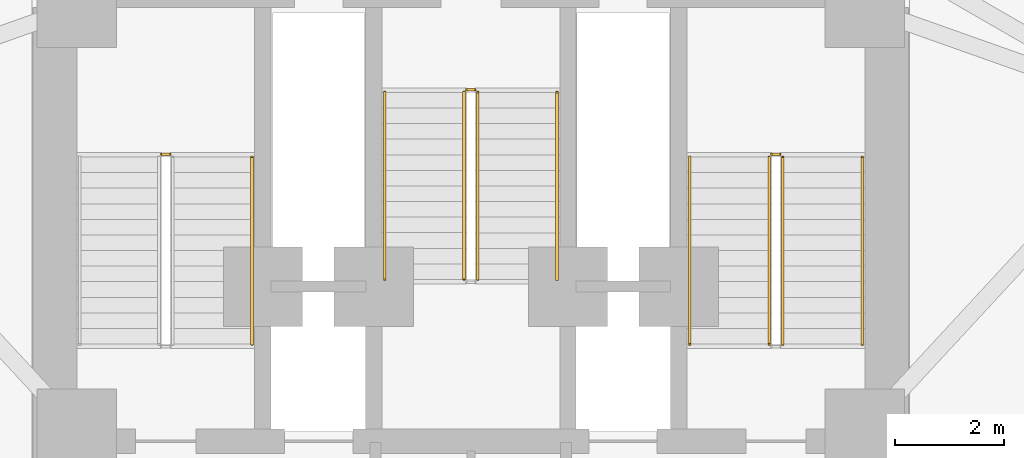
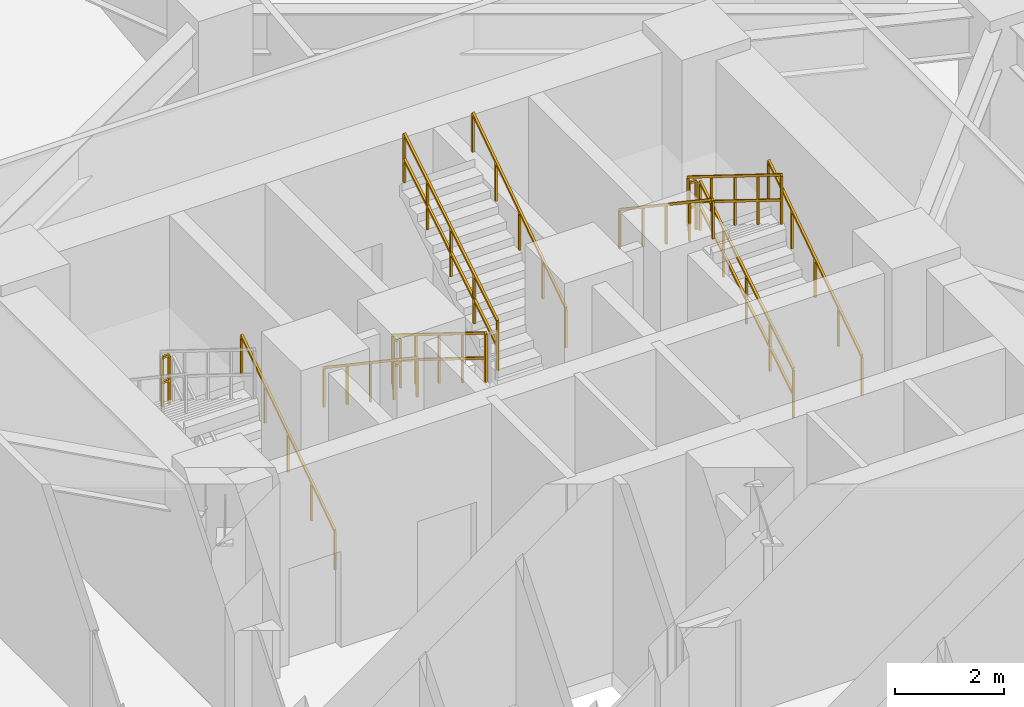
# One storey, part 20 of 21: 12 railings.
"""IFC4 building model written with IfcOpenShell, lengths in metres."""

from ifc_helpers import new_model, si_unit, direction, frame, origin, origin_2d, place, context, subcontext, project, spatial, rectangle, extrude, material, type_object, element, save


model = new_model("IFC4")

# Units and contexts
model_context = context("Model", 3, precision=1e-05, world=origin(), true_north=direction((0.0, 1.0)))
body_context = subcontext(model_context, "Body", "Model", "MODEL_VIEW")
ifc_project = project(units=[si_unit("LENGTHUNIT", "METRE"), si_unit("AREAUNIT", "SQUARE_METRE"), si_unit("VOLUMEUNIT", "CUBIC_METRE"), si_unit("PLANEANGLEUNIT", "RADIAN"), si_unit("MASSUNIT", "GRAM", prefix="KILO")], contexts=[model_context])

# Site, building, storey
site_placement = place(None, origin())
site = spatial("IfcSite", under=ifc_project, at=site_placement, CompositionType="ELEMENT")
building_placement = place(site_placement, origin())
building = spatial("IfcBuilding", under=site, at=building_placement, Name="Apsidion Concourse Tower", CompositionType="ELEMENT")
storey_placement = place(building_placement, frame((0.0, 0.0, 62.39990234375)))
storey = spatial("IfcBuildingStorey", under=building, at=storey_placement, Name="L13", CompositionType="ELEMENT", Elevation=62.39990234375)

# Railings
ifc_material = material(Name="Brushed stainless steel 316", Category="steel")
railing_type_1 = type_object("IfcRailingType", Name="RL-GUARD-1100", PredefinedType="GUARDRAIL", material=ifc_material)
railing_1_placement = place(storey_placement, frame((-5.5, 6.469970703125, 2.300048828125)))
element("IfcRailing", 1, at=railing_1_placement, inside=storey, type_object=railing_type_1, Name="L13 ST1 stair guard 2", PredefinedType="GUARDRAIL", context=body_context, shape_type="SweptSolid", body=[
    extrude(rectangle(XDim=0.048095703125, YDim=0.048095703125, at=origin_2d()), frame((0.0, 0.0, 1.09619140625), z_axis=(-1.0, 0.0, 0.0), x_axis=(0.0, -1.0, 0.0)), (0.0, 0.0, 1.0), 0.14990234375),
    extrude(rectangle(XDim=0.048095703125, YDim=0.048095703125, at=origin_2d()), frame((0.0, 0.0, 0.5361328125), z_axis=(-1.0, 0.0, 0.0), x_axis=(0.0, -1.0, 0.0)), (0.0, 0.0, 1.0), 0.14990234375),
    extrude(rectangle(XDim=0.0419921875, YDim=0.0419921875, at=origin_2d()), origin(), (0.0, 0.0, 1.0), 1.072021484375),
    extrude(rectangle(XDim=0.0419921875, YDim=0.0419921875, at=origin_2d()), frame((-0.14990234375, 0.0, 0.0)), (0.0, 0.0, 1.0), 1.072021484375),
])
railing_2_placement = place(storey_placement, frame((5.699951171875, 3.0, 0.177001953125)))
element("IfcRailing", 2, at=railing_2_placement, inside=storey, type_object=railing_type_1, Name="L13 ST2 stair guard 1", PredefinedType="GUARDRAIL", context=body_context, shape_type="SweptSolid", body=[
    extrude(rectangle(XDim=0.048095703125, YDim=0.048095703125, at=origin_2d()), frame((0.0, 0.0, 1.09619140625), z_axis=(0.0, 0.849602680019, 0.527423251388), x_axis=(-1.0, 0.0, 0.0)), (0.0, 0.0, 1.0), 4.025390625),
    extrude(rectangle(XDim=0.048095703125, YDim=0.048095703125, at=origin_2d()), frame((0.0, 0.0, 0.5361328125), z_axis=(0.0, 0.849602680019, 0.527423251388), x_axis=(-1.0, 0.0, 0.0)), (0.0, 0.0, 1.0), 4.025390625),
    extrude(rectangle(XDim=0.0419921875, YDim=0.0419921875, at=origin_2d()), origin(), (0.0, 0.0, 1.0), 1.072021484375),
    extrude(rectangle(XDim=0.0419921875, YDim=0.0419921875, at=origin_2d()), frame((0.0, 0.85498046875, 0.53076171875)), (0.0, 0.0, 1.0), 1.072021484375),
    extrude(rectangle(XDim=0.0419921875, YDim=0.0419921875, at=origin_2d()), frame((0.0, 1.7099609375, 1.0615234375)), (0.0, 0.0, 1.0), 1.072021484375),
    extrude(rectangle(XDim=0.0419921875, YDim=0.0419921875, at=origin_2d()), frame((0.0, 2.56494140625, 1.59228515625)), (0.0, 0.0, 1.0), 1.072021484375),
    extrude(rectangle(XDim=0.0419921875, YDim=0.0419921875, at=origin_2d()), frame((0.0, 3.419921875, 2.123046875)), (0.0, 0.0, 1.0), 1.072021484375),
])
railing_3_placement = place(storey_placement, frame((5.64990234375, 6.469970703125, 2.300048828125)))
element("IfcRailing", 3, at=railing_3_placement, inside=storey, type_object=railing_type_1, Name="L13 ST2 stair guard 2", PredefinedType="GUARDRAIL", context=body_context, shape_type="SweptSolid", body=[
    extrude(rectangle(XDim=0.048095703125, YDim=0.048095703125, at=origin_2d()), frame((0.0, 0.0, 1.09619140625), z_axis=(-1.0, 0.0, 0.0), x_axis=(0.0, -1.0, 0.0)), (0.0, 0.0, 1.0), 0.14990234375),
    extrude(rectangle(XDim=0.048095703125, YDim=0.048095703125, at=origin_2d()), frame((0.0, 0.0, 0.5361328125), z_axis=(-1.0, 0.0, 0.0), x_axis=(0.0, -1.0, 0.0)), (0.0, 0.0, 1.0), 0.14990234375),
    extrude(rectangle(XDim=0.0419921875, YDim=0.0419921875, at=origin_2d()), origin(), (0.0, 0.0, 1.0), 1.072021484375),
    extrude(rectangle(XDim=0.0419921875, YDim=0.0419921875, at=origin_2d()), frame((-0.14990234375, 0.0, 0.0)), (0.0, 0.0, 1.0), 1.072021484375),
])
railing_4_placement = place(storey_placement, frame((5.449951171875, 6.419921875, 2.47705078125)))
element("IfcRailing", 4, at=railing_4_placement, inside=storey, type_object=railing_type_1, Name="L13 ST2 stair guard 3", PredefinedType="GUARDRAIL", context=body_context, shape_type="SweptSolid", body=[
    extrude(rectangle(XDim=0.048095703125, YDim=0.048095703125, at=origin_2d()), frame((0.0, 0.0, 1.09619140625), z_axis=(0.0, -0.849602680019, 0.527423251388), x_axis=(1.0, 0.0, 0.0)), (0.0, 0.0, 1.0), 4.025390625),
    extrude(rectangle(XDim=0.048095703125, YDim=0.048095703125, at=origin_2d()), frame((0.0, 0.0, 0.5361328125), z_axis=(0.0, -0.849602680019, 0.527423251388), x_axis=(1.0, 0.0, 0.0)), (0.0, 0.0, 1.0), 4.025390625),
    extrude(rectangle(XDim=0.0419921875, YDim=0.0419921875, at=origin_2d()), origin(), (0.0, 0.0, 1.0), 1.072021484375),
    extrude(rectangle(XDim=0.0419921875, YDim=0.0419921875, at=origin_2d()), frame((0.0, -0.85498046875, 0.53076171875)), (0.0, 0.0, 1.0), 1.072021484375),
    extrude(rectangle(XDim=0.0419921875, YDim=0.0419921875, at=origin_2d()), frame((0.0, -1.7099609375, 1.0615234375)), (0.0, 0.0, 1.0), 1.072021484375),
    extrude(rectangle(XDim=0.0419921875, YDim=0.0419921875, at=origin_2d()), frame((0.0, -2.56494140625, 1.59228515625)), (0.0, 0.0, 1.0), 1.072021484375),
    extrude(rectangle(XDim=0.0419921875, YDim=0.0419921875, at=origin_2d()), frame((0.0, -3.419921875, 2.123046875)), (0.0, 0.0, 1.0), 1.072021484375),
])
railing_5_placement = place(storey_placement, frame((-0.125, 7.60009765625, 0.177001953125)))
element("IfcRailing", 5, at=railing_5_placement, inside=storey, type_object=railing_type_1, Name="L13 ST3 stair guard 1", PredefinedType="GUARDRAIL", context=body_context, shape_type="SweptSolid", body=[
    extrude(rectangle(XDim=0.048095703125, YDim=0.048095703125, at=origin_2d()), frame((0.0, 0.0, 1.09619140625), z_axis=(0.0, -0.849619550393, 0.527396074682), x_axis=(1.0, 0.0, 0.0)), (0.0, 0.0, 1.0), 4.025634765625),
    extrude(rectangle(XDim=0.048095703125, YDim=0.048095703125, at=origin_2d()), frame((0.0, 0.0, 0.5361328125), z_axis=(0.0, -0.849619550393, 0.527396074682), x_axis=(1.0, 0.0, 0.0)), (0.0, 0.0, 1.0), 4.025634765625),
    extrude(rectangle(XDim=0.0419921875, YDim=0.0419921875, at=origin_2d()), origin(), (0.0, 0.0, 1.0), 1.072021484375),
    extrude(rectangle(XDim=0.0419921875, YDim=0.0419921875, at=origin_2d()), frame((0.0, -0.85498046875, 0.53076171875)), (0.0, 0.0, 1.0), 1.072021484375),
    extrude(rectangle(XDim=0.0419921875, YDim=0.0419921875, at=origin_2d()), frame((0.0, -1.7099609375, 1.0615234375)), (0.0, 0.0, 1.0), 1.072021484375),
    extrude(rectangle(XDim=0.0419921875, YDim=0.0419921875, at=origin_2d()), frame((0.0, -2.565185546875, 1.59228515625)), (0.0, 0.0, 1.0), 1.072021484375),
    extrude(rectangle(XDim=0.0419921875, YDim=0.0419921875, at=origin_2d()), frame((0.0, -3.420166015625, 2.123046875)), (0.0, 0.0, 1.0), 1.072021484375),
])
railing_6_placement = place(storey_placement, frame((0.125, 4.179931640625, 2.47705078125)))
element("IfcRailing", 6, at=railing_6_placement, inside=storey, type_object=railing_type_1, Name="L13 ST3 stair guard 3", PredefinedType="GUARDRAIL", context=body_context, shape_type="SweptSolid", body=[
    extrude(rectangle(XDim=0.048095703125, YDim=0.048095703125, at=origin_2d()), frame((0.0, 0.0, 1.09619140625), z_axis=(0.0, 0.849619550393, 0.527396074682), x_axis=(-1.0, 0.0, 0.0)), (0.0, 0.0, 1.0), 4.025634765625),
    extrude(rectangle(XDim=0.048095703125, YDim=0.048095703125, at=origin_2d()), frame((0.0, 0.0, 0.5361328125), z_axis=(0.0, 0.849619550393, 0.527396074682), x_axis=(-1.0, 0.0, 0.0)), (0.0, 0.0, 1.0), 4.025634765625),
    extrude(rectangle(XDim=0.0419921875, YDim=0.0419921875, at=origin_2d()), origin(), (0.0, 0.0, 1.0), 1.072021484375),
    extrude(rectangle(XDim=0.0419921875, YDim=0.0419921875, at=origin_2d()), frame((0.0, 0.85498046875, 0.53076171875)), (0.0, 0.0, 1.0), 1.072021484375),
    extrude(rectangle(XDim=0.0419921875, YDim=0.0419921875, at=origin_2d()), frame((0.0, 1.7099609375, 1.0615234375)), (0.0, 0.0, 1.0), 1.072021484375),
    extrude(rectangle(XDim=0.0419921875, YDim=0.0419921875, at=origin_2d()), frame((0.0, 2.565185546875, 1.59228515625)), (0.0, 0.0, 1.0), 1.072021484375),
    extrude(rectangle(XDim=0.0419921875, YDim=0.0419921875, at=origin_2d()), frame((0.0, 3.420166015625, 2.123046875)), (0.0, 0.0, 1.0), 1.072021484375),
])
railing_7_placement = place(storey_placement, frame((-0.074951171875, 7.64990234375, 0.0)))
element("IfcRailing", 7, at=railing_7_placement, inside=storey, type_object=railing_type_1, Name="L13 ST3 stair guard 4", PredefinedType="GUARDRAIL", context=body_context, shape_type="SweptSolid", body=[
    extrude(rectangle(XDim=0.048095703125, YDim=0.048095703125, at=origin_2d()), frame((0.0, 0.0, 1.09619140625), z_axis=(1.0, 0.0, 0.0), x_axis=(0.0, 1.0, 0.0)), (0.0, 0.0, 1.0), 0.14990234375),
    extrude(rectangle(XDim=0.048095703125, YDim=0.048095703125, at=origin_2d()), frame((0.0, 0.0, 0.5361328125), z_axis=(1.0, 0.0, 0.0), x_axis=(0.0, 1.0, 0.0)), (0.0, 0.0, 1.0), 0.14990234375),
    extrude(rectangle(XDim=0.0419921875, YDim=0.0419921875, at=origin_2d()), origin(), (0.0, 0.0, 1.0), 1.072021484375),
    extrude(rectangle(XDim=0.0419921875, YDim=0.0419921875, at=origin_2d()), frame((0.14990234375, 0.0, 0.0)), (0.0, 0.0, 1.0), 1.072021484375),
])
railing_type_2 = type_object("IfcRailingType", Name="RL-HAND-900", PredefinedType="HANDRAIL", material=ifc_material)
for number, where, name in (
    (8, (-4.0, 3.0, 0.177001953125), "L13 ST1 stair handrail 1"),
    (9, (7.14990234375, 3.0, 0.177001953125), "L13 ST2 stair handrail 1"),
):
    element("IfcRailing", number, at=place(storey_placement, frame(where)), inside=storey, type_object=railing_type_2, Name=name, PredefinedType="HANDRAIL", context=body_context, shape_type="SweptSolid", body=[
        extrude(rectangle(XDim=0.048095703125, YDim=0.048095703125, at=origin_2d()), frame((0.0, 0.0, 0.8759765625), z_axis=(0.0, 0.8297924358, 0.55807214004), x_axis=(-1.0, 0.0, 0.0)), (0.0, 0.0, 1.0), 4.121337890625),
        extrude(rectangle(XDim=0.0419921875, YDim=0.0419921875, at=origin_2d()), origin(), (0.0, 0.0, 1.0), 0.851806640625),
        extrude(rectangle(XDim=0.0419921875, YDim=0.0419921875, at=origin_2d()), frame((0.0, 0.85498046875, 0.574951171875)), (0.0, 0.0, 1.0), 0.851806640625),
        extrude(rectangle(XDim=0.0419921875, YDim=0.0419921875, at=origin_2d()), frame((0.0, 1.7099609375, 1.14990234375)), (0.0, 0.0, 1.0), 0.851806640625),
        extrude(rectangle(XDim=0.0419921875, YDim=0.0419921875, at=origin_2d()), frame((0.0, 2.56494140625, 1.72509765625)), (0.0, 0.0, 1.0), 0.851806640625),
        extrude(rectangle(XDim=0.0419921875, YDim=0.0419921875, at=origin_2d()), frame((0.0, 3.419921875, 2.300048828125)), (0.0, 0.0, 1.0), 0.851806640625),
    ])
railing_8_placement = place(storey_placement, frame((4.0, 6.419921875, 2.47705078125)))
element("IfcRailing", 10, at=railing_8_placement, inside=storey, type_object=railing_type_2, Name="L13 ST2 stair handrail 2", PredefinedType="HANDRAIL", context=body_context, shape_type="SweptSolid", body=[
    extrude(rectangle(XDim=0.048095703125, YDim=0.048095703125, at=origin_2d()), frame((0.0, 0.0, 0.8759765625), z_axis=(0.0, -0.8297924358, 0.55807214004), x_axis=(1.0, 0.0, 0.0)), (0.0, 0.0, 1.0), 4.121337890625),
    extrude(rectangle(XDim=0.0419921875, YDim=0.0419921875, at=origin_2d()), origin(), (0.0, 0.0, 1.0), 0.851806640625),
    extrude(rectangle(XDim=0.0419921875, YDim=0.0419921875, at=origin_2d()), frame((0.0, -0.85498046875, 0.574951171875)), (0.0, 0.0, 1.0), 0.851806640625),
    extrude(rectangle(XDim=0.0419921875, YDim=0.0419921875, at=origin_2d()), frame((0.0, -1.7099609375, 1.14990234375)), (0.0, 0.0, 1.0), 0.851806640625),
    extrude(rectangle(XDim=0.0419921875, YDim=0.0419921875, at=origin_2d()), frame((0.0, -2.56494140625, 1.72509765625)), (0.0, 0.0, 1.0), 0.851806640625),
    extrude(rectangle(XDim=0.0419921875, YDim=0.0419921875, at=origin_2d()), frame((0.0, -3.419921875, 2.300048828125)), (0.0, 0.0, 1.0), 0.851806640625),
])
railing_9_placement = place(storey_placement, frame((-1.574951171875, 7.60009765625, 0.177001953125)))
element("IfcRailing", 11, at=railing_9_placement, inside=storey, type_object=railing_type_2, Name="L13 ST3 stair handrail 1", PredefinedType="HANDRAIL", context=body_context, shape_type="SweptSolid", body=[
    extrude(rectangle(XDim=0.048095703125, YDim=0.048095703125, at=origin_2d()), frame((0.0, 0.0, 0.8759765625), z_axis=(0.0, -0.829810883491, 0.558044709356), x_axis=(1.0, 0.0, 0.0)), (0.0, 0.0, 1.0), 4.12158203125),
    extrude(rectangle(XDim=0.0419921875, YDim=0.0419921875, at=origin_2d()), origin(), (0.0, 0.0, 1.0), 0.851806640625),
    extrude(rectangle(XDim=0.0419921875, YDim=0.0419921875, at=origin_2d()), frame((0.0, -0.85498046875, 0.574951171875)), (0.0, 0.0, 1.0), 0.851806640625),
    extrude(rectangle(XDim=0.0419921875, YDim=0.0419921875, at=origin_2d()), frame((0.0, -1.7099609375, 1.14990234375)), (0.0, 0.0, 1.0), 0.851806640625),
    extrude(rectangle(XDim=0.0419921875, YDim=0.0419921875, at=origin_2d()), frame((0.0, -2.565185546875, 1.72509765625)), (0.0, 0.0, 1.0), 0.851806640625),
    extrude(rectangle(XDim=0.0419921875, YDim=0.0419921875, at=origin_2d()), frame((0.0, -3.420166015625, 2.300048828125)), (0.0, 0.0, 1.0), 0.851806640625),
])
railing_10_placement = place(storey_placement, frame((1.574951171875, 4.179931640625, 2.47705078125)))
element("IfcRailing", 12, at=railing_10_placement, inside=storey, type_object=railing_type_2, Name="L13 ST3 stair handrail 2", PredefinedType="HANDRAIL", context=body_context, shape_type="SweptSolid", body=[
    extrude(rectangle(XDim=0.048095703125, YDim=0.048095703125, at=origin_2d()), frame((0.0, 0.0, 0.8759765625), z_axis=(0.0, 0.829810883491, 0.558044709356), x_axis=(-1.0, 0.0, 0.0)), (0.0, 0.0, 1.0), 4.12158203125),
    extrude(rectangle(XDim=0.0419921875, YDim=0.0419921875, at=origin_2d()), origin(), (0.0, 0.0, 1.0), 0.851806640625),
    extrude(rectangle(XDim=0.0419921875, YDim=0.0419921875, at=origin_2d()), frame((0.0, 0.85498046875, 0.574951171875)), (0.0, 0.0, 1.0), 0.851806640625),
    extrude(rectangle(XDim=0.0419921875, YDim=0.0419921875, at=origin_2d()), frame((0.0, 1.7099609375, 1.14990234375)), (0.0, 0.0, 1.0), 0.851806640625),
    extrude(rectangle(XDim=0.0419921875, YDim=0.0419921875, at=origin_2d()), frame((0.0, 2.565185546875, 1.72509765625)), (0.0, 0.0, 1.0), 0.851806640625),
    extrude(rectangle(XDim=0.0419921875, YDim=0.0419921875, at=origin_2d()), frame((0.0, 3.420166015625, 2.300048828125)), (0.0, 0.0, 1.0), 0.851806640625),
])

save(model, "model.ifc")
